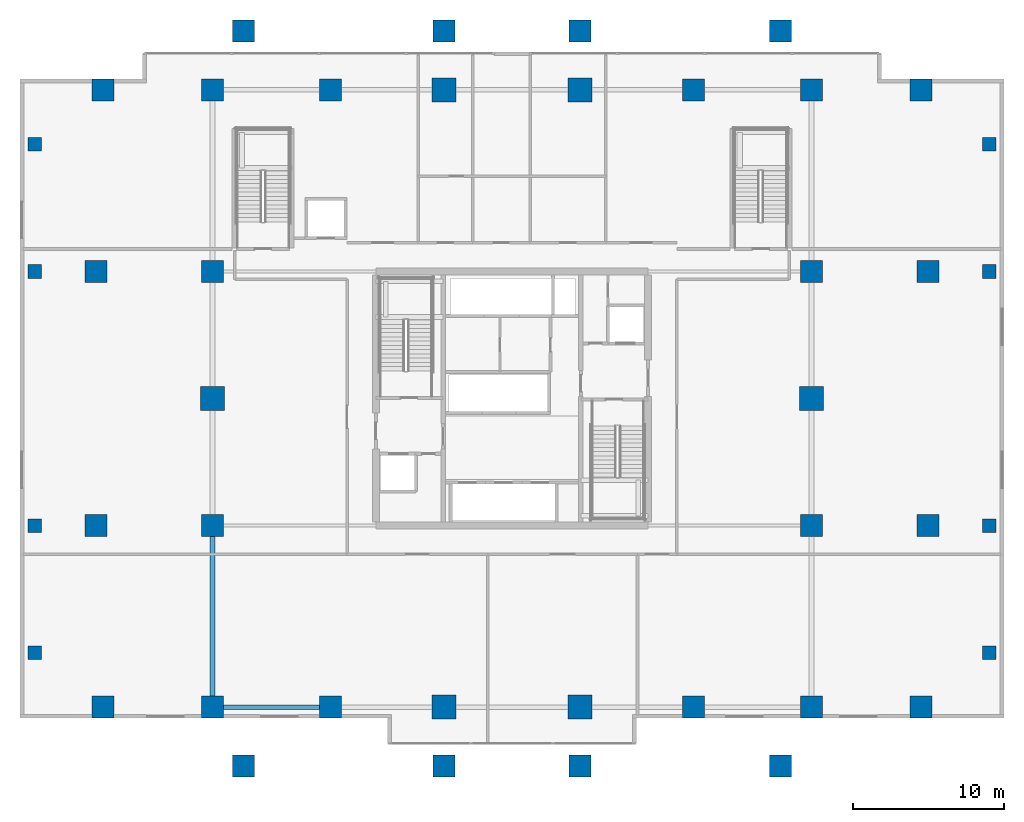
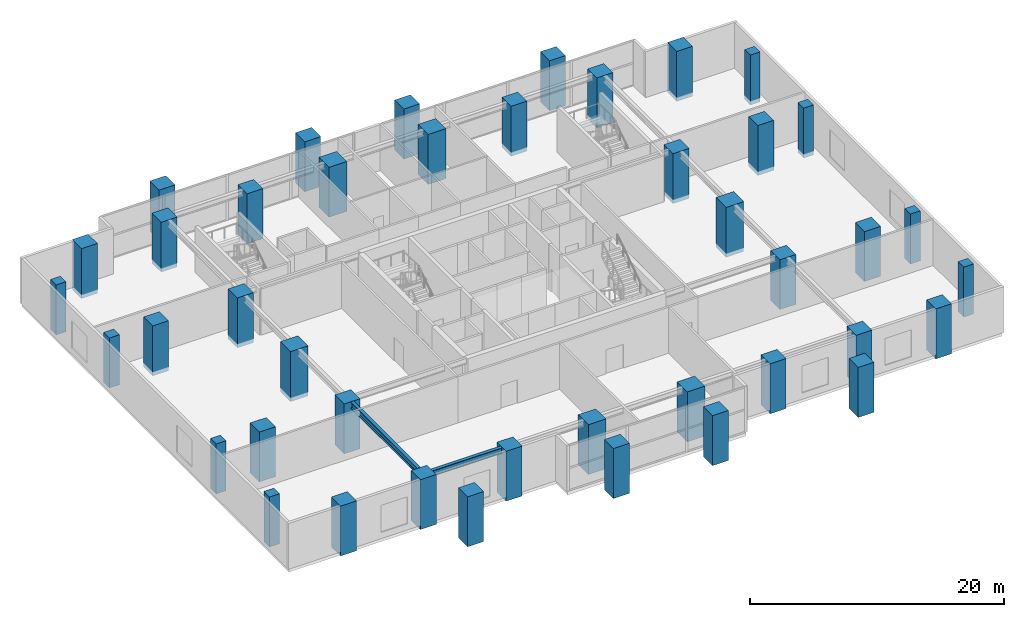
# One storey, part 1 of 20: 42 columns, 2 beams.
"""IFC4 building model written with IfcOpenShell, lengths in metres."""

from ifc_helpers import new_model, si_unit, direction, frame, origin, origin_2d, place, context, subcontext, project, spatial, rectangle, i_section, extrude, source, transform, mapped, material, material_profile, profile_set, type_object, element, save


model = new_model("IFC4")

# Units and contexts
model_context = context("Model", 3, precision=1e-05, world=origin(), true_north=direction((0.0, 1.0)))
body_context = subcontext(model_context, "Body", "Model", "MODEL_VIEW")
ifc_project = project(units=[si_unit("LENGTHUNIT", "METRE"), si_unit("AREAUNIT", "SQUARE_METRE"), si_unit("VOLUMEUNIT", "CUBIC_METRE"), si_unit("PLANEANGLEUNIT", "RADIAN"), si_unit("MASSUNIT", "GRAM", prefix="KILO")], contexts=[model_context])

# Site, building, storey
site_placement = place(None, origin())
site = spatial("IfcSite", under=ifc_project, at=site_placement, CompositionType="ELEMENT")
building_placement = place(site_placement, origin())
building = spatial("IfcBuilding", under=site, at=building_placement, Name="Serunith Strait Residences", CompositionType="ELEMENT")
storey_placement = place(building_placement, frame((0.0, 0.0, 10.5)))
storey = spatial("IfcBuildingStorey", under=building, at=storey_placement, Name="L02", CompositionType="ELEMENT", Elevation=10.5)

# Columns
ifc_material_1 = material(Name="Concrete C70/85", Category="concrete")
ifc_material_profile_1 = material_profile(ifc_material_1, rectangle(XDim=0.89990234375, YDim=0.89990234375, at=origin_2d()), Name="RC 900x900")
ifc_profile_set_1 = profile_set([ifc_material_profile_1], Name="Concrete C70/85")
column_type_1 = type_object("IfcColumnType", Name="COL-RC-900", PredefinedType="COLUMN", material=ifc_profile_set_1)
shared_shape_1 = source(origin(), body_context, "Body", "SweptSolid", [
    extrude(rectangle(XDim=0.89990234375, YDim=0.89990234375, at=origin_2d()), origin(), (0.0, 0.0, 1.0), 4.7998046875),
])
for number, where, z_axis, x_axis, name in (
    (1, (0.85009765625, 8.39990234375, -0.3798828125), (0.0, 0.0, 1.0), (1.0, 0.0, 0.0), "L02 Podium Column PC-W1"),
    (2, (0.85009765625, 16.800048828125, -0.3798828125), (0.0, 0.0, 1.0), (1.0, 0.0, 0.0), "L02 Podium Column PC-W2"),
    (3, (0.85009765625, 33.60009765625, -0.3798828125), (0.0, 0.0, 1.0), (1.0, 0.0, 0.0), "L02 Podium Column PC-W3"),
    (4, (0.85009765625, 42.0, -0.3798828125), (0.0, 0.0, 1.0), (1.0, 0.0, 0.0), "L02 Podium Column PC-W4"),
    (5, (63.949951171875, 8.39990234375, -0.3798828125), (0.0, 0.0, 1.0), (1.0, 0.0, 0.0), "L02 Podium Column PC-E1"),
    (6, (63.949951171875, 16.800048828125, -0.3798828125), (0.0, 0.0, 1.0), (1.0, 0.0, 0.0), "L02 Podium Column PC-E2"),
    (7, (63.949951171875, 33.60009765625, -0.3798828125), (0.0, 0.0, 1.0), (1.0, 0.0, 0.0), "L02 Podium Column PC-E3"),
    (8, (63.949951171875, 42.0, -0.3798828125), (0.0, 0.0, 1.0), (1.0, 0.0, 0.0), "L02 Podium Column PC-E4"),
):
    element("IfcColumn", number, at=place(storey_placement, frame(where, z_axis=z_axis, x_axis=x_axis)), inside=storey, type_object=column_type_1, Name=name, PredefinedType="COLUMN", context=body_context, shape_type="MappedRepresentation", body=[
        mapped(shared_shape_1, transform((0.0, 0.0, 0.0), scale=1.0)),
    ])
ifc_material_2 = material(Name="Concrete C90/105", Category="concrete")
ifc_material_profile_2 = material_profile(ifc_material_2, rectangle(XDim=1.449951171875, YDim=1.449951171875, at=origin_2d()), Name="RC 1450x1450")
ifc_profile_set_2 = profile_set([ifc_material_profile_2], Name="Concrete C90/105")
column_type_2 = type_object("IfcColumnType", Name="COL-RC-1450", PredefinedType="COLUMN", material=ifc_profile_set_2)
shared_shape_2 = source(origin(), body_context, "Body", "SweptSolid", [
    extrude(rectangle(XDim=1.449951171875, YDim=1.449951171875, at=origin_2d()), origin(), (0.0, 0.0, 1.0), 4.7998046875),
])
for number, where, z_axis, x_axis, name in (
    (9, (12.60009765625, 4.800048828125, -0.3798828125), (0.0, 0.0, 1.0), (1.0, 0.0, 0.0), "L02 Podium Column PC-S1"),
    (10, (20.39990234375, 4.800048828125, -0.3798828125), (0.0, 0.0, 1.0), (1.0, 0.0, 0.0), "L02 Podium Column PC-S2"),
    (11, (44.39990234375, 4.800048828125, -0.3798828125), (0.0, 0.0, 1.0), (1.0, 0.0, 0.0), "L02 Podium Column PC-S5"),
    (12, (52.199951171875, 4.800048828125, -0.3798828125), (0.0, 0.0, 1.0), (1.0, 0.0, 0.0), "L02 Podium Column PC-S6"),
    (13, (12.60009765625, 45.60009765625, -0.3798828125), (0.0, 0.0, 1.0), (1.0, 0.0, 0.0), "L02 Podium Column PC-N1"),
    (14, (20.39990234375, 45.60009765625, -0.3798828125), (0.0, 0.0, 1.0), (1.0, 0.0, 0.0), "L02 Podium Column PC-N2"),
    (15, (44.39990234375, 45.60009765625, -0.3798828125), (0.0, 0.0, 1.0), (1.0, 0.0, 0.0), "L02 Podium Column PC-N5"),
    (16, (52.199951171875, 45.60009765625, -0.3798828125), (0.0, 0.0, 1.0), (1.0, 0.0, 0.0), "L02 Podium Column PC-N6"),
    (17, (12.60009765625, 16.800048828125, -0.3798828125), (0.0, 0.0, 1.0), (1.0, 0.0, 0.0), "L02 Podium Column PC-MW1"),
    (18, (12.60009765625, 33.60009765625, -0.3798828125), (0.0, 0.0, 1.0), (1.0, 0.0, 0.0), "L02 Podium Column PC-MW3"),
    (19, (52.199951171875, 16.800048828125, -0.3798828125), (0.0, 0.0, 1.0), (1.0, 0.0, 0.0), "L02 Podium Column PC-ME1"),
    (20, (52.199951171875, 33.60009765625, -0.3798828125), (0.0, 0.0, 1.0), (1.0, 0.0, 0.0), "L02 Podium Column PC-ME3"),
    (21, (14.64990234375, 0.89990234375, -0.3798828125), (0.0, 0.0, 1.0), (1.0, 0.0, 0.0), "L02 Podium Column PC-RS1"),
    (22, (27.89990234375, 0.89990234375, -0.3798828125), (0.0, 0.0, 1.0), (1.0, 0.0, 0.0), "L02 Podium Column PC-RS2"),
    (23, (36.89990234375, 0.89990234375, -0.3798828125), (0.0, 0.0, 1.0), (1.0, 0.0, 0.0), "L02 Podium Column PC-RS3"),
    (24, (50.14990234375, 0.89990234375, -0.3798828125), (0.0, 0.0, 1.0), (1.0, 0.0, 0.0), "L02 Podium Column PC-RS4"),
    (25, (14.64990234375, 49.5, -0.3798828125), (0.0, 0.0, 1.0), (1.0, 0.0, 0.0), "L02 Podium Column PC-RN1"),
    (26, (27.89990234375, 49.5, -0.3798828125), (0.0, 0.0, 1.0), (1.0, 0.0, 0.0), "L02 Podium Column PC-RN2"),
    (27, (36.89990234375, 49.5, -0.3798828125), (0.0, 0.0, 1.0), (1.0, 0.0, 0.0), "L02 Podium Column PC-RN3"),
    (28, (50.14990234375, 49.5, -0.3798828125), (0.0, 0.0, 1.0), (1.0, 0.0, 0.0), "L02 Podium Column PC-RN4"),
    (29, (4.89990234375, 16.800048828125, -0.3798828125), (0.0, 0.0, 1.0), (1.0, 0.0, 0.0), "L02 Podium Column PC-RW1"),
    (30, (4.89990234375, 33.60009765625, -0.3798828125), (0.0, 0.0, 1.0), (1.0, 0.0, 0.0), "L02 Podium Column PC-RW2"),
    (31, (59.89990234375, 16.800048828125, -0.3798828125), (0.0, 0.0, 1.0), (1.0, 0.0, 0.0), "L02 Podium Column PC-RE1"),
    (32, (59.89990234375, 33.60009765625, -0.3798828125), (0.0, 0.0, 1.0), (1.0, 0.0, 0.0), "L02 Podium Column PC-RE2"),
    (33, (5.35009765625, 4.800048828125, -0.3798828125), (0.0, 0.0, 1.0), (1.0, 0.0, 0.0), "L02 Podium Column PC-RWS"),
    (34, (5.35009765625, 45.60009765625, -0.3798828125), (0.0, 0.0, 1.0), (1.0, 0.0, 0.0), "L02 Podium Column PC-RWN"),
    (35, (59.449951171875, 4.800048828125, -0.3798828125), (0.0, 0.0, 1.0), (1.0, 0.0, 0.0), "L02 Podium Column PC-RES"),
    (36, (59.449951171875, 45.60009765625, -0.3798828125), (0.0, 0.0, 1.0), (1.0, 0.0, 0.0), "L02 Podium Column PC-REN"),
):
    element("IfcColumn", number, at=place(storey_placement, frame(where, z_axis=z_axis, x_axis=x_axis)), inside=storey, type_object=column_type_2, Name=name, PredefinedType="COLUMN", context=body_context, shape_type="MappedRepresentation", body=[
        mapped(shared_shape_2, transform((0.0, 0.0, 0.0), scale=1.0)),
    ])
ifc_material_profile_3 = material_profile(ifc_material_2, rectangle(XDim=1.60009765625, YDim=1.60009765625, at=origin_2d()), Name="RC 1600x1600")
ifc_profile_set_3 = profile_set([ifc_material_profile_3], Name="Concrete C90/105")
column_type_3 = type_object("IfcColumnType", Name="COL-RC-1600", PredefinedType="COLUMN", material=ifc_profile_set_3)
shared_shape_3 = source(origin(), body_context, "Body", "SweptSolid", [
    extrude(rectangle(XDim=1.60009765625, YDim=1.60009765625, at=origin_2d()), origin(), (0.0, 0.0, 1.0), 4.7998046875),
])
for number, where, z_axis, x_axis, name in (
    (37, (27.89990234375, 4.800048828125, -0.3798828125), (0.0, 0.0, 1.0), (1.0, 0.0, 0.0), "L02 Podium Column PC-S3"),
    (38, (36.89990234375, 4.800048828125, -0.3798828125), (0.0, 0.0, 1.0), (1.0, 0.0, 0.0), "L02 Podium Column PC-S4"),
    (39, (27.89990234375, 45.60009765625, -0.3798828125), (0.0, 0.0, 1.0), (1.0, 0.0, 0.0), "L02 Podium Column PC-N3"),
    (40, (36.89990234375, 45.60009765625, -0.3798828125), (0.0, 0.0, 1.0), (1.0, 0.0, 0.0), "L02 Podium Column PC-N4"),
    (41, (12.60009765625, 25.199951171875, -0.3798828125), (0.0, 0.0, 1.0), (1.0, 0.0, 0.0), "L02 Podium Column PC-MW2"),
    (42, (52.199951171875, 25.199951171875, -0.3798828125), (0.0, 0.0, 1.0), (1.0, 0.0, 0.0), "L02 Podium Column PC-ME2"),
):
    element("IfcColumn", number, at=place(storey_placement, frame(where, z_axis=z_axis, x_axis=x_axis)), inside=storey, type_object=column_type_3, Name=name, PredefinedType="COLUMN", context=body_context, shape_type="MappedRepresentation", body=[
        mapped(shared_shape_3, transform((0.0, 0.0, 0.0), scale=1.0)),
    ])

# Beams
ifc_material_3 = material(Name="Steel S355J2", Category="steel")
ifc_material_profile_4 = material_profile(ifc_material_3, i_section(OverallWidth=0.300048828125, OverallDepth=0.550048828125, WebThickness=0.014892578125, FlangeThickness=0.029052734375, FilletRadius=0.027099609375, at=origin_2d()), Name="HEB 550")
ifc_profile_set_4 = profile_set([ifc_material_profile_4], Name="Steel S355J2")
beam_type_1 = type_object("IfcBeamType", Name="BM-HEB550", PredefinedType="BEAM", material=ifc_profile_set_4)
shared_shape_4 = source(origin(), body_context, "Body", "SweptSolid", [
    extrude(i_section(OverallWidth=0.300048828125, OverallDepth=0.550048828125, WebThickness=0.014892578125, FlangeThickness=0.029052734375, FilletRadius=0.027099609375, at=origin_2d()), origin(), (0.0, 0.0, 1.0), 7.7998046875),
])
beam_1_placement = place(storey_placement, frame((12.60009765625, 4.800048828125, 4.14208984375), z_axis=(1.0, 0.0, 0.0), x_axis=(0.0, 1.0, 0.0)))
element("IfcBeam", 43, at=beam_1_placement, inside=storey, type_object=beam_type_1, Name="BM-L02-01", PredefinedType="BEAM", context=body_context, shape_type="MappedRepresentation", body=[
    mapped(shared_shape_4, transform((0.0, 0.0, 0.0), scale=1.0)),
])
ifc_material_profile_5 = material_profile(ifc_material_3, i_section(OverallWidth=0.300048828125, OverallDepth=0.60009765625, WebThickness=0.015380859375, FlangeThickness=0.030029296875, FilletRadius=0.027099609375, at=origin_2d()), Name="HEB 600")
ifc_profile_set_5 = profile_set([ifc_material_profile_5], Name="Steel S355J2")
beam_type_2 = type_object("IfcBeamType", Name="BM-HEB600", PredefinedType="BEAM", material=ifc_profile_set_5)
shared_shape_5 = source(origin(), body_context, "Body", "SweptSolid", [
    extrude(i_section(OverallWidth=0.300048828125, OverallDepth=0.60009765625, WebThickness=0.015380859375, FlangeThickness=0.030029296875, FilletRadius=0.027099609375, at=origin_2d()), origin(), (0.0, 0.0, 1.0), 12.0),
])
beam_2_placement = place(storey_placement, frame((12.60009765625, 4.800048828125, 4.116943359375), z_axis=(0.0, 1.0, 0.0), x_axis=(-1.0, 0.0, 0.0)))
element("IfcBeam", 44, at=beam_2_placement, inside=storey, type_object=beam_type_2, Name="BM-L02-11", PredefinedType="BEAM", context=body_context, shape_type="MappedRepresentation", body=[
    mapped(shared_shape_5, transform((0.0, 0.0, 0.0), scale=1.0)),
])

save(model, "model.ifc")
